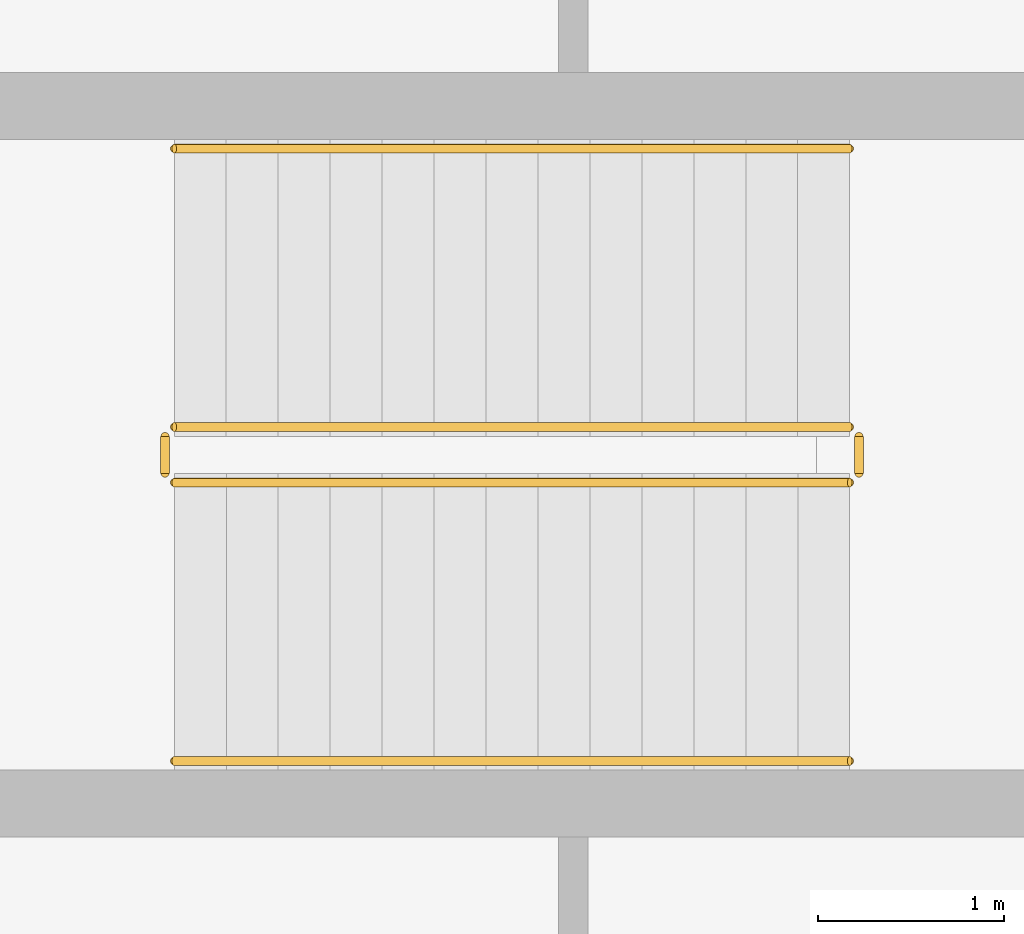
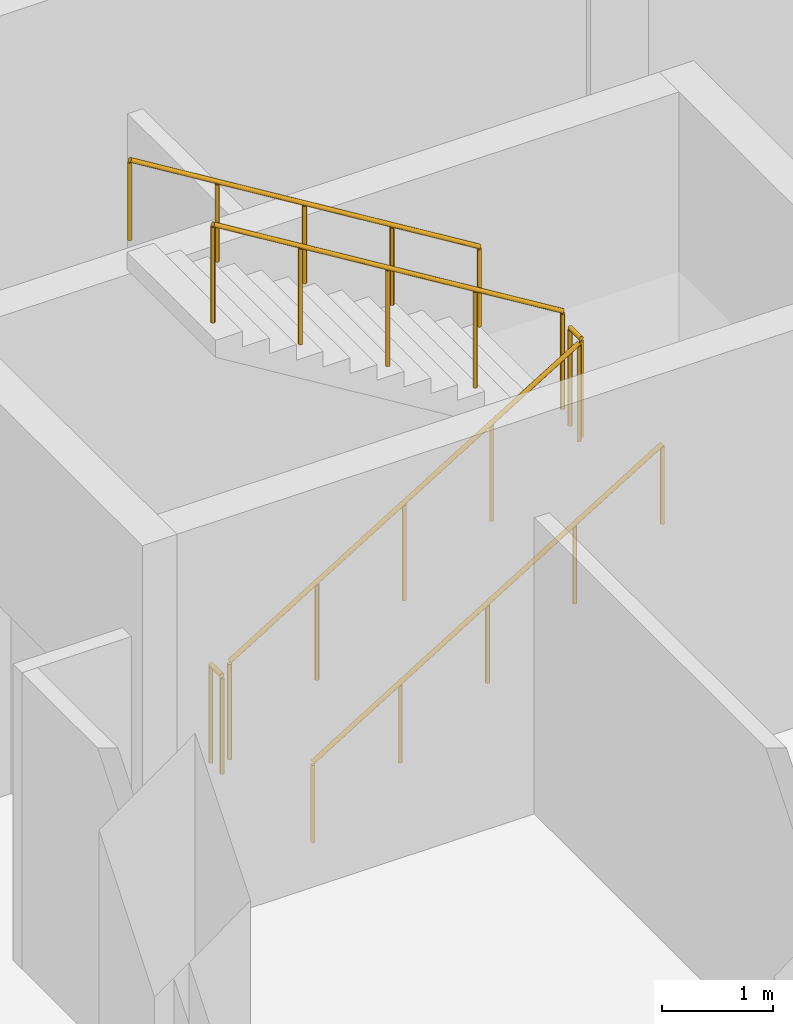
# One storey, part 27 of 28: 6 railings.
"""IFC4 building model written with IfcOpenShell, lengths in metres."""

from ifc_helpers import new_model, si_unit, direction, frame, origin, origin_2d, place, context, subcontext, project, spatial, circle, extrude, material, type_object, element, save


model = new_model("IFC4")

# Units and contexts
model_context = context("Model", 3, precision=1e-05, world=origin(), true_north=direction((0.0, 1.0)))
body_context = subcontext(model_context, "Body", "Model", "MODEL_VIEW")
ifc_project = project(units=[si_unit("LENGTHUNIT", "METRE"), si_unit("AREAUNIT", "SQUARE_METRE"), si_unit("VOLUMEUNIT", "CUBIC_METRE"), si_unit("PLANEANGLEUNIT", "RADIAN"), si_unit("MASSUNIT", "GRAM", prefix="KILO")], contexts=[model_context])

# Site, building, storey
site_placement = place(None, origin())
site = spatial("IfcSite", under=ifc_project, at=site_placement, CompositionType="ELEMENT")
building_placement = place(site_placement, origin())
building = spatial("IfcBuilding", under=site, at=building_placement, Name="Zereglee Splitstone Museum", CompositionType="ELEMENT")
storey_placement = place(building_placement, frame((0.0, 0.0, -4.800048828125)))
storey = spatial("IfcBuildingStorey", under=building, at=storey_placement, Name="B1", CompositionType="ELEMENT", Elevation=-4.800048828125)

# Railings
ifc_material_1 = material(Name="Painted steel S355J2 post-and-baluster guard", Category="steel")
railing_type_1 = type_object("IfcRailingType", Name="GR-03", PredefinedType="BALUSTRADE", material=ifc_material_1)
railing_1_placement = place(storey_placement, frame((308.85009765625, 54.35009765625, 0.17138671875)))
element("IfcRailing", 1, at=railing_1_placement, inside=storey, type_object=railing_type_1, Name="B1 ST-08 stair guard 1", PredefinedType="BALUSTRADE", context=body_context, shape_type="SweptSolid", body=[
    extrude(circle(Radius=0.02392578125, at=origin_2d()), frame((0.0, 0.0, 1.076416015625), z_axis=(0.852824790078, 0.0, 0.522197163366), x_axis=(0.0, 1.0, 0.0)), (0.0, 0.0, 1.0), 4.26806640625),
    extrude(circle(Radius=0.02099609375, at=origin_2d()), origin(), (0.0, 0.0, 1.0), 1.052001953125),
    extrude(circle(Radius=0.02099609375, at=origin_2d()), frame((0.909912109375, 0.0, 0.55712890625)), (0.0, 0.0, 1.0), 1.052001953125),
    extrude(circle(Radius=0.02099609375, at=origin_2d()), frame((1.81982421875, 0.0, 1.1142578125)), (0.0, 0.0, 1.0), 1.052001953125),
    extrude(circle(Radius=0.02099609375, at=origin_2d()), frame((2.72998046875, 0.0, 1.671630859375)), (0.0, 0.0, 1.0), 1.052001953125),
    extrude(circle(Radius=0.02099609375, at=origin_2d()), frame((3.639892578125, 0.0, 2.228759765625)), (0.0, 0.0, 1.0), 1.052001953125),
])
railing_2_placement = place(storey_placement, frame((312.5400390625, 54.39990234375, 2.400146484375)))
element("IfcRailing", 2, at=railing_2_placement, inside=storey, type_object=railing_type_1, Name="B1 ST-08 stair guard 2", PredefinedType="BALUSTRADE", context=body_context, shape_type="SweptSolid", body=[
    extrude(circle(Radius=0.02392578125, at=origin_2d()), frame((0.0, 0.0, 1.076416015625), z_axis=(0.0, 1.0, 0.0), x_axis=(-1.0, 0.0, 0.0)), (0.0, 0.0, 1.0), 0.2001953125),
    extrude(circle(Radius=0.02099609375, at=origin_2d()), origin(), (0.0, 0.0, 1.0), 1.052001953125),
    extrude(circle(Radius=0.02099609375, at=origin_2d()), frame((0.0, 0.2001953125, 0.0)), (0.0, 0.0, 1.0), 1.052001953125),
])
railing_3_placement = place(storey_placement, frame((312.489990234375, 54.64990234375, 2.571533203125)))
element("IfcRailing", 3, at=railing_3_placement, inside=storey, type_object=railing_type_1, Name="B1 ST-08 stair guard 3", PredefinedType="BALUSTRADE", context=body_context, shape_type="SweptSolid", body=[
    extrude(circle(Radius=0.02392578125, at=origin_2d()), frame((0.0, 0.0, 1.076416015625), z_axis=(-0.852850264322, 0.0, 0.5221555579), x_axis=(0.0, -1.0, 0.0)), (0.0, 0.0, 1.0), 4.267822265625),
    extrude(circle(Radius=0.02099609375, at=origin_2d()), origin(), (0.0, 0.0, 1.0), 1.052001953125),
    extrude(circle(Radius=0.02099609375, at=origin_2d()), frame((-0.909912109375, 0.0, 0.55712890625)), (0.0, 0.0, 1.0), 1.052001953125),
    extrude(circle(Radius=0.02099609375, at=origin_2d()), frame((-1.81982421875, 0.0, 1.1142578125)), (0.0, 0.0, 1.0), 1.052001953125),
    extrude(circle(Radius=0.02099609375, at=origin_2d()), frame((-2.72998046875, 0.0, 1.67138671875)), (0.0, 0.0, 1.0), 1.052001953125),
    extrude(circle(Radius=0.02099609375, at=origin_2d()), frame((-3.639892578125, 0.0, 2.228515625)), (0.0, 0.0, 1.0), 1.052001953125),
])
railing_4_placement = place(storey_placement, frame((308.800048828125, 54.39990234375, 0.0)))
element("IfcRailing", 4, at=railing_4_placement, inside=storey, type_object=railing_type_1, Name="B1 ST-08 stair guard 4", PredefinedType="BALUSTRADE", context=body_context, shape_type="SweptSolid", body=[
    extrude(circle(Radius=0.02392578125, at=origin_2d()), frame((0.0, 0.0, 1.076416015625), z_axis=(0.0, 1.0, 0.0), x_axis=(-1.0, 0.0, 0.0)), (0.0, 0.0, 1.0), 0.2001953125),
    extrude(circle(Radius=0.02099609375, at=origin_2d()), origin(), (0.0, 0.0, 1.0), 1.052001953125),
    extrude(circle(Radius=0.02099609375, at=origin_2d()), frame((0.0, 0.2001953125, 0.0)), (0.0, 0.0, 1.0), 1.052001953125),
])
ifc_material_2 = material(Name="Architectural bronze tubular handrail", Category="steel")
railing_type_2 = type_object("IfcRailingType", Name="HR-01", PredefinedType="HANDRAIL", material=ifc_material_2)
railing_5_placement = place(storey_placement, frame((308.85009765625, 52.85009765625, 0.17138671875)))
element("IfcRailing", 5, at=railing_5_placement, inside=storey, type_object=railing_type_2, Name="B1 ST-08 stair handrail 1", PredefinedType="HANDRAIL", context=body_context, shape_type="SweptSolid", body=[
    extrude(circle(Radius=0.02392578125, at=origin_2d()), frame((0.0, 0.0, 0.8759765625), z_axis=(0.852824790078, 0.0, 0.522197163366), x_axis=(0.0, 1.0, 0.0)), (0.0, 0.0, 1.0), 4.26806640625),
    extrude(circle(Radius=0.02099609375, at=origin_2d()), origin(), (0.0, 0.0, 1.0), 0.851806640625),
    extrude(circle(Radius=0.02099609375, at=origin_2d()), frame((0.909912109375, 0.0, 0.55712890625)), (0.0, 0.0, 1.0), 0.851806640625),
    extrude(circle(Radius=0.02099609375, at=origin_2d()), frame((1.81982421875, 0.0, 1.1142578125)), (0.0, 0.0, 1.0), 0.851806640625),
    extrude(circle(Radius=0.02099609375, at=origin_2d()), frame((2.72998046875, 0.0, 1.671630859375)), (0.0, 0.0, 1.0), 0.851806640625),
    extrude(circle(Radius=0.02099609375, at=origin_2d()), frame((3.639892578125, 0.0, 2.228759765625)), (0.0, 0.0, 1.0), 0.851806640625),
])
railing_6_placement = place(storey_placement, frame((312.489990234375, 56.14990234375, 2.571533203125)))
element("IfcRailing", 6, at=railing_6_placement, inside=storey, type_object=railing_type_2, Name="B1 ST-08 stair handrail 2", PredefinedType="HANDRAIL", context=body_context, shape_type="SweptSolid", body=[
    extrude(circle(Radius=0.02392578125, at=origin_2d()), frame((0.0, 0.0, 0.8759765625), z_axis=(-0.852850264322, 0.0, 0.5221555579), x_axis=(0.0, -1.0, 0.0)), (0.0, 0.0, 1.0), 4.267822265625),
    extrude(circle(Radius=0.02099609375, at=origin_2d()), origin(), (0.0, 0.0, 1.0), 0.851806640625),
    extrude(circle(Radius=0.02099609375, at=origin_2d()), frame((-0.909912109375, 0.0, 0.55712890625)), (0.0, 0.0, 1.0), 0.851806640625),
    extrude(circle(Radius=0.02099609375, at=origin_2d()), frame((-1.81982421875, 0.0, 1.1142578125)), (0.0, 0.0, 1.0), 0.851806640625),
    extrude(circle(Radius=0.02099609375, at=origin_2d()), frame((-2.72998046875, 0.0, 1.67138671875)), (0.0, 0.0, 1.0), 0.851806640625),
    extrude(circle(Radius=0.02099609375, at=origin_2d()), frame((-3.639892578125, 0.0, 2.228515625)), (0.0, 0.0, 1.0), 0.851806640625),
])

save(model, "model.ifc")
